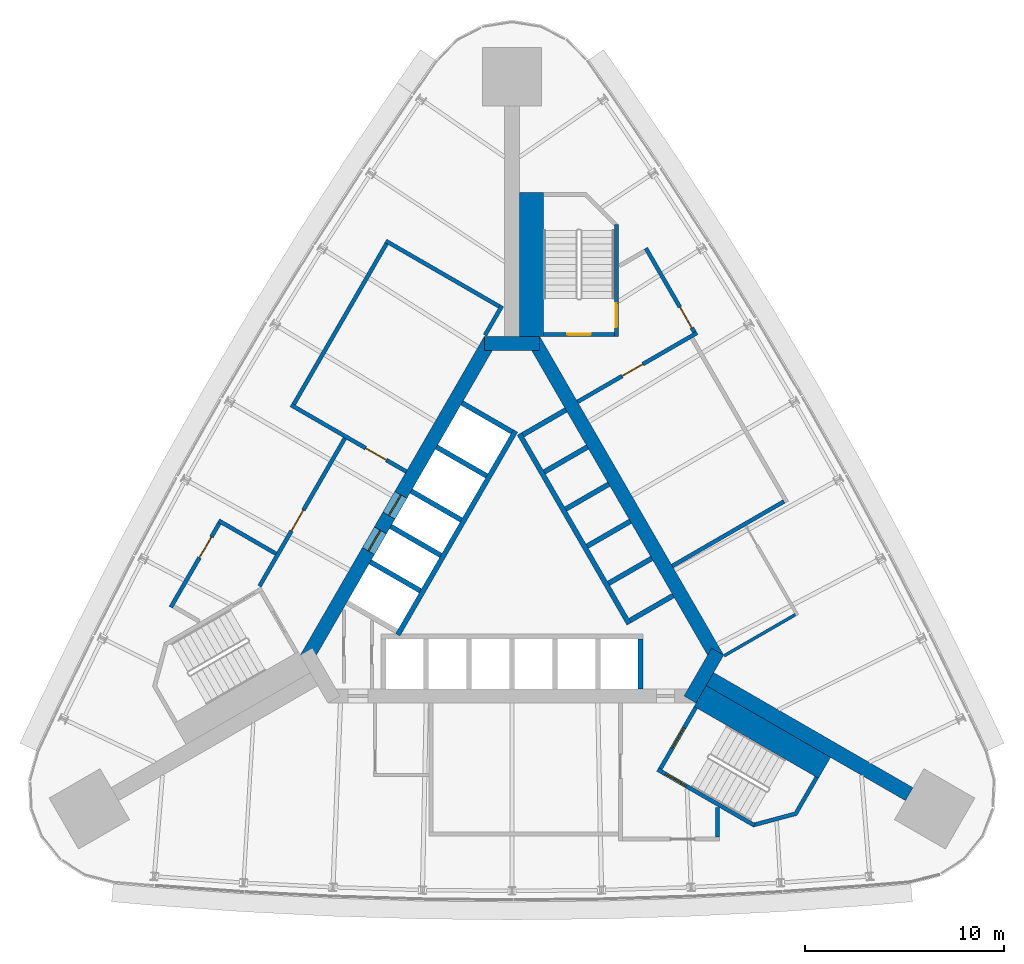
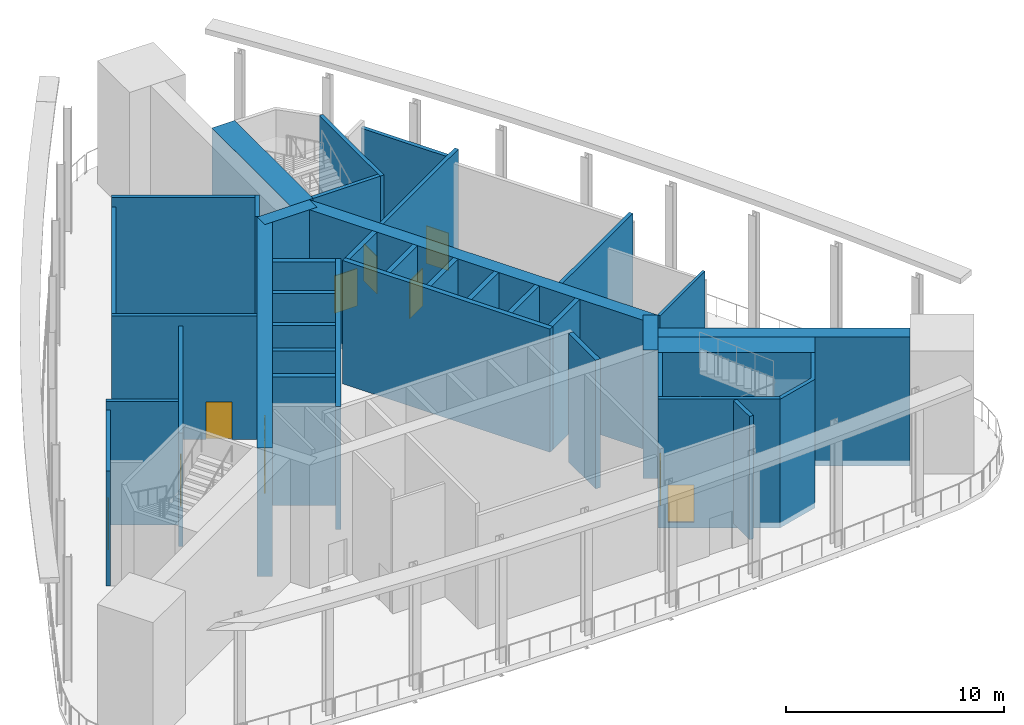
# One storey, part 3 of 7: 38 walls, 11 doors, 11 openings.
"""IFC4 building model written with IfcOpenShell, lengths in metres."""

from ifc_helpers import new_model, si_unit, direction, frame, frame_2d, origin, place, context, subcontext, project, spatial, polyline, rectangle, outline, extrude, material, layer, layer_set, type_object, element, fill, save


model = new_model("IFC4")

# Units and contexts
model_context = context("Model", 3, precision=1e-05, world=origin(), true_north=direction((0.0, 1.0)))
body_context = subcontext(model_context, "Body", "Model", "MODEL_VIEW")
ifc_project = project(units=[si_unit("LENGTHUNIT", "METRE"), si_unit("AREAUNIT", "SQUARE_METRE"), si_unit("VOLUMEUNIT", "CUBIC_METRE"), si_unit("PLANEANGLEUNIT", "RADIAN"), si_unit("MASSUNIT", "GRAM", prefix="KILO")], contexts=[model_context])

# Site, building, storey
site_placement = place(None, origin())
site = spatial("IfcSite", under=ifc_project, at=site_placement, CompositionType="ELEMENT")
building_placement = place(site_placement, origin())
building = spatial("IfcBuilding", under=site, at=building_placement, Name="Noor Cloister Tower", CompositionType="ELEMENT")
storey_placement = place(building_placement, frame((0.0, 0.0, 127.5)))
storey = spatial("IfcBuildingStorey", under=building, at=storey_placement, Name="L33", CompositionType="ELEMENT", Elevation=127.5)

# Walls
ifc_material_1 = material(Name="Concrete C80/95", Category="concrete")
ifc_layer_1 = layer(ifc_material_1, 0.75)
ifc_layer_set_1 = layer_set([ifc_layer_1], Name="Buttress wall 750 C80/95")
wall_type_1 = type_object("IfcWallType", Name="Buttress wall 750 C80/95", PredefinedType="SHEAR", material=ifc_layer_set_1)
wall_1_placement = place(storey_placement, frame((9.921630859375, -5.728271484375, -0.300048828125), z_axis=(0.0, 0.0, 1.0), x_axis=(0.866024913782, -0.500000848707, 0.0)))
element("IfcWall", 1, at=wall_1_placement, inside=storey, type_object=wall_type_1, Name="Buttress wall SE L33", PredefinedType="SHEAR", context=body_context, shape_type="SweptSolid", body=[
    extrude(rectangle(XDim=11.53857421875, YDim=0.75, at=frame_2d((5.769287109375, 0.0))), origin(), (0.0, 0.0, 1.0), 7.199951171875),
])
ifc_material_2 = material(Name="Concrete C80/95", Category="concrete")
ifc_layer_2 = layer(ifc_material_2, 0.699951171875)
ifc_layer_set_2 = layer_set([ifc_layer_2], Name="Core wall 700 C80/95")
wall_type_2 = type_object("IfcWallType", Name="Core wall 700 C80/95", PredefinedType="SHEAR", material=ifc_layer_set_2)
wall_2_placement = place(storey_placement, frame((8.925537109375, -6.753173828125, -0.300048828125), z_axis=(0.0, 0.0, 1.0), x_axis=(0.500042739161, 0.866000726912, 0.0)))
element("IfcWall", 2, at=wall_2_placement, inside=storey, type_object=wall_type_2, Name="Core wall L33 2", PredefinedType="SHEAR", context=body_context, shape_type="SweptSolid", body=[
    extrude(rectangle(XDim=2.771240234375, YDim=0.699951171875, at=frame_2d((1.3857421875, 0.0))), origin(), (0.0, 0.0, 1.0), 7.199951171875),
])
wall_3_placement = place(storey_placement, frame((10.311279296875, -4.703125, -0.300048828125), z_axis=(0.0, 0.0, 1.0), x_axis=(-0.500001446645, 0.866024568562, 0.0)))
element("IfcWall", 3, at=wall_3_placement, inside=storey, type_object=wall_type_2, Name="Core wall L33 3", PredefinedType="SHEAR", context=body_context, shape_type="SweptSolid", body=[
    extrude(rectangle(XDim=18.45751953125, YDim=0.699951171875, at=frame_2d((9.228759765625, 0.0))), origin(), (0.0, 0.0, 1.0), 7.199951171875),
])
wall_4_placement = place(storey_placement, frame((1.3857421875, 11.1064453125, -0.300048828125), z_axis=(0.0, 0.0, 1.0), x_axis=(-1.0, 0.0, 0.0)))
element("IfcWall", 4, at=wall_4_placement, inside=storey, type_object=wall_type_2, Name="Core wall L33 4", PredefinedType="SHEAR", context=body_context, shape_type="SweptSolid", body=[
    extrude(rectangle(XDim=2.771484375, YDim=0.699951171875, at=frame_2d((1.3857421875, 0.0))), origin(), (0.0, 0.0, 1.0), 7.199951171875),
])

# Wall, openings, doors
wall_5_placement = place(storey_placement, frame((-1.08251953125, 11.281494140625, -0.300048828125), z_axis=(0.0, 0.0, 1.0), x_axis=(-0.500001446645, -0.866024568562, 0.0)))
wall_5 = element("IfcWall", 5, at=wall_5_placement, inside=storey, type_object=wall_type_2, Name="Core wall L33 5", PredefinedType="SHEAR", context=body_context, shape_type="SweptSolid", body=[
    extrude(rectangle(XDim=18.45751953125, YDim=0.699951171875, at=frame_2d((9.228759765625, 0.0))), origin(), (0.0, 0.0, 1.0), 7.199951171875),
])
opening_1_placement = place(wall_5_placement, frame((8.978759765625, 0.0, 0.300048828125)))
opening_1 = element("IfcOpeningElement", 6, at=opening_1_placement, cuts=wall_5, Name="Opening L33-FF1", PredefinedType="OPENING", context=body_context, shape_type="SweptSolid", body=[
    extrude(rectangle(XDim=1.199951171875, YDim=2.10009765625, at=frame_2d((0.60009765625, 1.050048828125))), frame((0.0, 0.35986328125, 0.0), z_axis=(0.0, -1.0, 0.0), x_axis=(1.0, 0.0, 0.0)), (0.0, 0.0, 1.0), 0.719970703125),
])
opening_2_placement = place(wall_5_placement, frame((11.02880859375, 0.0, 0.300048828125)))
opening_2 = element("IfcOpeningElement", 7, at=opening_2_placement, cuts=wall_5, Name="Opening L33-FF2", PredefinedType="OPENING", context=body_context, shape_type="SweptSolid", body=[
    extrude(rectangle(XDim=1.199951171875, YDim=2.10009765625, at=frame_2d((0.60009765625, 1.050048828125))), frame((0.0, 0.35986328125, 0.0), z_axis=(0.0, -1.0, 0.0), x_axis=(1.0, 0.0, 0.0)), (0.0, 0.0, 1.0), 0.719970703125),
])
ifc_material_3 = material(Name="Stainless steel", Category="steel")
door_type_1 = type_object("IfcDoorType", Name="Lift landing door 1200 x 2100", OperationType="DOUBLE_DOOR_SLIDING", PredefinedType="DOOR", material=ifc_material_3)
door_1_placement = place(opening_1_placement, origin())
door_1 = element("IfcDoor", 8, at=door_1_placement, inside=storey, type_object=door_type_1, Name="Landing door FF1 L33", OperationType="DOUBLE_DOOR_SLIDING", OverallHeight=2.10009765625, OverallWidth=1.199951171875, PredefinedType="DOOR", context=body_context, shape_type="SweptSolid", body=[
    extrude(rectangle(XDim=1.199951171875, YDim=2.10009765625, at=frame_2d((0.60009765625, 1.050048828125))), frame((0.0, 0.02490234375, 0.0), z_axis=(0.0, -1.0, 0.0), x_axis=(1.0, 0.0, 0.0)), (0.0, 0.0, 1.0), 0.050048828125),
])
fill(opening_1, door_1)
door_2_placement = place(opening_2_placement, origin())
door_2 = element("IfcDoor", 9, at=door_2_placement, inside=storey, type_object=door_type_1, Name="Landing door FF2 L33", OperationType="DOUBLE_DOOR_SLIDING", OverallHeight=2.10009765625, OverallWidth=1.199951171875, PredefinedType="DOOR", context=body_context, shape_type="SweptSolid", body=[
    extrude(rectangle(XDim=1.199951171875, YDim=2.10009765625, at=frame_2d((0.60009765625, 1.050048828125))), frame((0.0, 0.02490234375, 0.0), z_axis=(0.0, -1.0, 0.0), x_axis=(1.0, 0.0, 0.0)), (0.0, 0.0, 1.0), 0.050048828125),
])
fill(opening_2, door_2)

# Walls
ifc_material_4 = material(Name="Concrete C80/95", Category="concrete")
ifc_layer_3 = layer(ifc_material_4, 0.25)
ifc_layer_set_3 = layer_set([ifc_layer_3], Name="Shaft wall 250 C80/95")
wall_type_3 = type_object("IfcWallType", Name="Shaft wall 250 C80/95", PredefinedType="PARTITIONING", material=ifc_layer_set_3)
wall_6_placement = place(storey_placement, frame((6.449951171875, -6.228271484375, -0.300048828125), z_axis=(0.0, 0.0, 1.0), x_axis=(0.0, 1.0, 0.0)))
element("IfcWall", 10, at=wall_6_placement, inside=storey, type_object=wall_type_3, Name="Lift shaft wall L33 S 7", PredefinedType="PARTITIONING", context=body_context, shape_type="SweptSolid", body=[
    extrude(rectangle(XDim=2.5, YDim=0.25, at=frame_2d((1.25, 0.0))), origin(), (0.0, 0.0, 1.0), 7.199951171875),
])
for number, where, z_axis, x_axis, name in (
    (11, (8.081298828125, -1.540771484375, 0.0), (0.0, 0.0, 1.0), (-0.866022959057, -0.500004234368, 0.0), "Lift shaft wall L33 NE 1"),
    (12, (7.00634765625, 0.3212890625, 0.0), (0.0, 0.0, 1.0), (-0.866022959057, -0.500004234368, 0.0), "Lift shaft wall L33 NE 2"),
):
    element("IfcWall", number, at=place(storey_placement, frame(where, z_axis=z_axis, x_axis=x_axis)), inside=storey, type_object=wall_type_3, Name=name, PredefinedType="PARTITIONING", context=body_context, shape_type="SweptSolid", body=[
        extrude(rectangle(XDim=2.5, YDim=0.25, at=frame_2d((1.25, 0.0))), origin(), (0.0, 0.0, 1.0), 6.89990234375),
    ])
wall_7_placement = place(storey_placement, frame((5.931396484375, 2.18310546875, 0.0), z_axis=(0.0, 0.0, 1.0), x_axis=(-0.866047370643, -0.499961950354, 0.0)))
element("IfcWall", 13, at=wall_7_placement, inside=storey, type_object=wall_type_3, Name="Lift shaft wall L33 NE 3", PredefinedType="PARTITIONING", context=body_context, shape_type="SweptSolid", body=[
    extrude(rectangle(XDim=2.500244140625, YDim=0.25, at=frame_2d((1.25, 0.0))), origin(), (0.0, 0.0, 1.0), 6.89990234375),
])
for number, where, z_axis, x_axis, name in (
    (14, (4.856201171875, 4.045166015625, 0.0), (0.0, 0.0, 1.0), (-0.866022959057, -0.500004234368, 0.0), "Lift shaft wall L33 NE 4"),
    (15, (3.78125, 5.906982421875, 0.0), (0.0, 0.0, 1.0), (-0.866022959057, -0.500004234368, 0.0), "Lift shaft wall L33 NE 5"),
    (16, (2.706298828125, 7.76904296875, 0.0), (0.0, 0.0, 1.0), (-0.866022959057, -0.500004234368, 0.0), "Lift shaft wall L33 NE 6"),
):
    element("IfcWall", number, at=place(storey_placement, frame(where, z_axis=z_axis, x_axis=x_axis)), inside=storey, type_object=wall_type_3, Name=name, PredefinedType="PARTITIONING", context=body_context, shape_type="SweptSolid", body=[
        extrude(rectangle(XDim=2.5, YDim=0.25, at=frame_2d((1.25, 0.0))), origin(), (0.0, 0.0, 1.0), 6.89990234375),
    ])
wall_8_placement = place(storey_placement, frame((5.870361328125, -2.96142578125, 0.0), z_axis=(0.0, 0.0, 1.0), x_axis=(-0.50000615651, 0.866021849293, 0.0)))
element("IfcWall", 17, at=wall_8_placement, inside=storey, type_object=wall_type_3, Name="Lift shaft back wall L33 NE", PredefinedType="PARTITIONING", context=body_context, shape_type="SweptSolid", body=[
    extrude(rectangle(XDim=10.999755859375, YDim=0.25, at=frame_2d((5.5, 0.0))), origin(), (0.0, 0.0, 1.0), 6.89990234375),
])
wall_9_placement = place(storey_placement, frame((-2.50634765625, 8.115478515625, -0.300048828125), z_axis=(0.0, 0.0, 1.0), x_axis=(0.865996321171, -0.50005036918, 0.0)))
element("IfcWall", 18, at=wall_9_placement, inside=storey, type_object=wall_type_3, Name="Lift shaft wall L33 NW 1", PredefinedType="PARTITIONING", context=body_context, shape_type="SweptSolid", body=[
    extrude(rectangle(XDim=2.900146484375, YDim=0.25, at=frame_2d((1.4501953125, 0.0))), origin(), (0.0, 0.0, 1.0), 7.199951171875),
])
for number, where, z_axis, x_axis, name in (
    (19, (-3.78125, 5.906982421875, -0.300048828125), (0.0, 0.0, 1.0), (0.866032775405, -0.499987231761, 0.0), "Lift shaft wall L33 NW 2"),
    (20, (-5.056396484375, 3.69873046875, -0.300048828125), (0.0, 0.0, 1.0), (0.866032775405, -0.499987231761, 0.0), "Lift shaft wall L33 NW 3"),
    (21, (-6.081298828125, 1.92333984375, -0.300048828125), (0.0, 0.0, 1.0), (0.866032775405, -0.499987231761, 0.0), "Lift shaft wall L33 NW 4"),
    (22, (-7.106201171875, 0.14794921875, -0.300048828125), (0.0, 0.0, 1.0), (0.866032775405, -0.499987231761, 0.0), "Lift shaft wall L33 NW 5"),
):
    element("IfcWall", number, at=place(storey_placement, frame(where, z_axis=z_axis, x_axis=x_axis)), inside=storey, type_object=wall_type_3, Name=name, PredefinedType="PARTITIONING", context=body_context, shape_type="SweptSolid", body=[
        extrude(rectangle(XDim=2.89990234375, YDim=0.25, at=frame_2d((1.449951171875, 0.0))), origin(), (0.0, 0.0, 1.0), 7.199951171875),
    ])
wall_10_placement = place(storey_placement, frame((0.176025390625, 6.711181640625, 0.0), z_axis=(0.0, 0.0, 1.0), x_axis=(-0.500004227369, -0.866022963098, 0.0)))
element("IfcWall", 23, at=wall_10_placement, inside=storey, type_object=wall_type_3, Name="Lift shaft back wall L33 NW", PredefinedType="PARTITIONING", context=body_context, shape_type="SweptSolid", body=[
    extrude(rectangle(XDim=11.80029296875, YDim=0.25, at=frame_2d((5.900146484375, 0.0))), origin(), (0.0, 0.0, 1.0), 6.89990234375),
])
ifc_material_5 = material(Name="Concrete C80/95", Category="concrete")
ifc_layer_4 = layer(ifc_material_5, 1.2109375)
ifc_layer_set_4 = layer_set([ifc_layer_4], Name="Stair enclosure wall 1211 C80/95")
wall_type_4 = type_object("IfcWallType", Name="Stair enclosure wall 1211 C80/95", PredefinedType="SHEAR", material=ifc_layer_set_4)
wall_11_placement = place(storey_placement, frame((0.980224609375, 11.456298828125, -0.300048828125), z_axis=(0.0, 0.0, 1.0), x_axis=(0.0, 1.0, 0.0)))
element("IfcWall", 24, at=wall_11_placement, inside=storey, type_object=wall_type_4, Name="Stair enclosure wall ST1 L33 riser side", PredefinedType="SHEAR", context=body_context, shape_type="SweptSolid", body=[
    extrude(rectangle(XDim=7.2001953125, YDim=1.210693359375, at=frame_2d((3.60009765625, 0.0))), origin(), (0.0, 0.0, 1.0), 7.199951171875),
])
wall_12_placement = place(storey_placement, frame((9.431396484375, -6.5771484375, -0.300048828125), z_axis=(0.0, 0.0, 1.0), x_axis=(0.866018442252, -0.500012057535, 0.0)))
element("IfcWall", 25, at=wall_12_placement, inside=storey, type_object=wall_type_4, Name="Stair enclosure wall ST3 L33 riser side", PredefinedType="SHEAR", context=body_context, shape_type="SweptSolid", body=[
    extrude(rectangle(XDim=7.199951171875, YDim=1.210693359375, at=frame_2d((3.60009765625, 0.0))), origin(), (0.0, 0.0, 1.0), 7.199951171875),
])

# Wall, opening, door
ifc_material_6 = material(Name="Concrete C80/95", Category="concrete")
ifc_layer_5 = layer(ifc_material_6, 0.199951171875)
ifc_layer_set_5 = layer_set([ifc_layer_5], Name="Stair enclosure wall 200 C80/95")
wall_type_5 = type_object("IfcWallType", Name="Stair enclosure wall 200 C80/95", PredefinedType="SHEAR", material=ifc_layer_set_5)
wall_13_placement = place(storey_placement, frame((5.135498046875, 11.556396484375, -0.300048828125), z_axis=(0.0, 0.0, 1.0), x_axis=(-1.0, 0.0, 0.0)))
wall_13 = element("IfcWall", 26, at=wall_13_placement, inside=storey, type_object=wall_type_5, Name="Stair enclosure wall ST1 L33 near end", PredefinedType="SHEAR", context=body_context, shape_type="SweptSolid", body=[
    extrude(rectangle(XDim=3.5498046875, YDim=0.199951171875, at=frame_2d((1.77490234375, 0.0))), origin(), (0.0, 0.0, 1.0), 7.199951171875),
])
opening_3_placement = place(wall_13_placement, frame((1.175048828125, 0.0, 0.300048828125)))
opening_3 = element("IfcOpeningElement", 27, at=opening_3_placement, cuts=wall_13, Name="Opening L33-ST1L", PredefinedType="OPENING", context=body_context, shape_type="SweptSolid", body=[
    extrude(rectangle(XDim=1.199951171875, YDim=2.10009765625, at=frame_2d((0.60009765625, 1.050048828125))), frame((0.0, 0.10986328125, 0.0), z_axis=(0.0, -1.0, 0.0), x_axis=(1.0, 0.0, 0.0)), (0.0, 0.0, 1.0), 0.219970703125),
])
ifc_material_7 = material(Name="Steel", Category="steel")
door_type_2 = type_object("IfcDoorType", Name="Stair door 1200 x 2100 FD120", OperationType="SINGLE_SWING_LEFT", PredefinedType="DOOR", material=ifc_material_7)
door_3_placement = place(opening_3_placement, origin())
door_3 = element("IfcDoor", 28, at=door_3_placement, inside=storey, type_object=door_type_2, Name="Stair door ST1 L33", OperationType="SINGLE_SWING_RIGHT", OverallHeight=2.10009765625, OverallWidth=1.199951171875, PredefinedType="DOOR", context=body_context, shape_type="SweptSolid", body=[
    extrude(rectangle(XDim=1.199951171875, YDim=2.10009765625, at=frame_2d((0.60009765625, 1.050048828125))), frame((0.0, 0.02490234375, 0.0), z_axis=(0.0, -1.0, 0.0), x_axis=(1.0, 0.0, 0.0)), (0.0, 0.0, 1.0), 0.050048828125),
])
fill(opening_3, door_3)

wall_14_placement = place(storey_placement, frame((5.235595703125, 11.456298828125, -0.300048828125), z_axis=(0.0, 0.0, 1.0), x_axis=(0.0, 1.0, 0.0)))
wall_14 = element("IfcWall", 29, at=wall_14_placement, inside=storey, type_object=wall_type_5, Name="Stair enclosure wall ST1 L33 outer side", PredefinedType="SHEAR", context=body_context, shape_type="SweptSolid", body=[
    extrude(rectangle(XDim=5.60009765625, YDim=0.199951171875, at=frame_2d((2.800048828125, 0.0))), origin(), (0.0, 0.0, 1.0), 7.199951171875),
])
opening_4_placement = place(wall_14_placement, frame((0.449951171875, 0.0, 0.300048828125)))
opening_4 = element("IfcOpeningElement", 30, at=opening_4_placement, cuts=wall_14, Name="Opening L33-ST1C", PredefinedType="OPENING", context=body_context, shape_type="SweptSolid", body=[
    extrude(rectangle(XDim=1.199951171875, YDim=2.10009765625, at=frame_2d((0.60009765625, 1.050048828125))), frame((0.0, 0.10986328125, 0.0), z_axis=(0.0, -1.0, 0.0), x_axis=(1.0, 0.0, 0.0)), (0.0, 0.0, 1.0), 0.219970703125),
])
door_4_placement = place(opening_4_placement, origin())
door_4 = element("IfcDoor", 31, at=door_4_placement, inside=storey, type_object=door_type_2, Name="Stair door ST1 L33", OperationType="SINGLE_SWING_LEFT", OverallHeight=2.10009765625, OverallWidth=1.199951171875, PredefinedType="DOOR", context=body_context, shape_type="SweptSolid", body=[
    extrude(rectangle(XDim=1.199951171875, YDim=2.10009765625, at=frame_2d((0.60009765625, 1.050048828125))), frame((0.0, 0.02490234375, 0.0), z_axis=(0.0, -1.0, 0.0), x_axis=(1.0, 0.0, 0.0)), (0.0, 0.0, 1.0), 0.050048828125),
])
fill(opening_4, door_4)

wall_15_placement = place(storey_placement, frame((7.440185546875, -10.225830078125, -0.300048828125), z_axis=(0.0, 0.0, 1.0), x_axis=(0.500022077904, 0.866012656725, 0.0)))
wall_15 = element("IfcWall", 32, at=wall_15_placement, inside=storey, type_object=wall_type_5, Name="Stair enclosure wall ST3 L33 near end", PredefinedType="SHEAR", context=body_context, shape_type="SweptSolid", body=[
    extrude(rectangle(XDim=3.550048828125, YDim=0.199951171875, at=frame_2d((1.77490234375, 0.0))), origin(), (0.0, 0.0, 1.0), 7.199951171875),
])
opening_5_placement = place(wall_15_placement, frame((1.175048828125, 0.0, 0.300048828125)))
opening_5 = element("IfcOpeningElement", 33, at=opening_5_placement, cuts=wall_15, Name="Opening L33-ST3L", PredefinedType="OPENING", context=body_context, shape_type="SweptSolid", body=[
    extrude(rectangle(XDim=1.199951171875, YDim=2.10009765625, at=frame_2d((0.60009765625, 1.050048828125))), frame((0.0, 0.10986328125, 0.0), z_axis=(0.0, -1.0, 0.0), x_axis=(1.0, 0.0, 0.0)), (0.0, 0.0, 1.0), 0.219970703125),
])
door_5_placement = place(opening_5_placement, origin())
door_5 = element("IfcDoor", 34, at=door_5_placement, inside=storey, type_object=door_type_2, Name="Stair door ST3 L33", OperationType="SINGLE_SWING_RIGHT", OverallHeight=2.10009765625, OverallWidth=1.199951171875, PredefinedType="DOOR", context=body_context, shape_type="SweptSolid", body=[
    extrude(rectangle(XDim=1.199951171875, YDim=2.10009765625, at=frame_2d((0.60009765625, 1.050048828125))), frame((0.0, 0.02490234375, 0.0), z_axis=(0.0, -1.0, 0.0), x_axis=(1.0, 0.0, 0.0)), (0.0, 0.0, 1.0), 0.050048828125),
])
fill(opening_5, door_5)

wall_16_placement = place(storey_placement, frame((7.3037109375, -10.262451171875, -0.300048828125), z_axis=(0.0, 0.0, 1.0), x_axis=(0.866026594901, -0.49999793692, 0.0)))
wall_16 = element("IfcWall", 35, at=wall_16_placement, inside=storey, type_object=wall_type_5, Name="Stair enclosure wall ST3 L33 outer side", PredefinedType="SHEAR", context=body_context, shape_type="SweptSolid", body=[
    extrude(rectangle(XDim=5.60009765625, YDim=0.199951171875, at=frame_2d((2.800048828125, 0.0))), origin(), (0.0, 0.0, 1.0), 7.199951171875),
])
opening_6_placement = place(wall_16_placement, frame((0.449951171875, 0.0, 0.300048828125)))
opening_6 = element("IfcOpeningElement", 36, at=opening_6_placement, cuts=wall_16, Name="Opening L33-ST3C", PredefinedType="OPENING", context=body_context, shape_type="SweptSolid", body=[
    extrude(rectangle(XDim=1.199951171875, YDim=2.10009765625, at=frame_2d((0.60009765625, 1.050048828125))), frame((0.0, 0.10986328125, 0.0), z_axis=(0.0, -1.0, 0.0), x_axis=(1.0, 0.0, 0.0)), (0.0, 0.0, 1.0), 0.219970703125),
])
door_6_placement = place(opening_6_placement, origin())
door_6 = element("IfcDoor", 37, at=door_6_placement, inside=storey, type_object=door_type_2, Name="Stair door ST3 L33", OperationType="SINGLE_SWING_LEFT", OverallHeight=2.10009765625, OverallWidth=1.199951171875, PredefinedType="DOOR", context=body_context, shape_type="SweptSolid", body=[
    extrude(rectangle(XDim=1.199951171875, YDim=2.10009765625, at=frame_2d((0.60009765625, 1.050048828125))), frame((0.0, 0.02490234375, 0.0), z_axis=(0.0, -1.0, 0.0), x_axis=(1.0, 0.0, 0.0)), (0.0, 0.0, 1.0), 0.050048828125),
])
fill(opening_6, door_6)

# Walls
ifc_material_8 = material(Name="Concrete C80/95", Category="concrete")
wall_type_6 = type_object("IfcWallType", Name="Stair far end wall C80/95", PredefinedType="SHEAR", material=ifc_material_8)
wall_17_placement = place(storey_placement, frame((0.0, 0.0, -0.300048828125)))
element("IfcWall", 38, at=wall_17_placement, inside=storey, type_object=wall_type_6, Name="Stair enclosure wall ST3 L33 far end", PredefinedType="SHEAR", context=body_context, shape_type="SweptSolid", body=[
    extrude(outline(polyline([(12.103515625, -13.14892578125), (14.2890625, -12.5634765625), (15.364013671875, -10.701416015625), (15.19091796875, -10.601318359375), (14.1572265625, -12.3916015625), (12.131591796875, -12.934326171875), (12.20361328125, -12.975830078125), (12.20361328125, -12.975830078125), (12.20361328125, -12.975830078125), (12.20361328125, -12.975830078125), (12.20361328125, -12.975830078125), (12.20361328125, -12.975830078125), (12.20361328125, -12.975830078125), (12.20361328125, -12.975830078125), (12.20361328125, -12.975830078125), (12.20361328125, -12.975830078125), (12.20361328125, -12.975830078125), (12.20361328125, -12.975830078125), (12.20361328125, -12.975830078125), (12.20361328125, -12.975830078125), (12.20361328125, -12.975830078125), (12.20361328125, -12.975830078125), (12.20361328125, -12.975830078125), (12.103515625, -13.14892578125)])), origin(), (0.0, 0.0, 1.0), 7.199951171875),
])
ifc_material_9 = material(Name="Fire-rated gypsum board partition on steel studs, 150 mm", Category="steel")
ifc_layer_6 = layer(ifc_material_9, 0.14990234375)
ifc_layer_set_6 = layer_set([ifc_layer_6], Name="Upper floor corridor wall 150")
wall_type_7 = type_object("IfcWallType", Name="Upper floor corridor wall 150", PredefinedType="PARTITIONING", material=ifc_layer_set_6)
wall_18_placement = place(storey_placement, frame((10.63330078125, -4.560791015625, 0.0), z_axis=(0.0, 0.0, 1.0), x_axis=(0.866019999656, 0.500009360108, 0.0)))
element("IfcWall", 39, at=wall_18_placement, inside=storey, type_object=wall_type_7, Name="Upper floor corridor wall 150 L33 022", PredefinedType="PARTITIONING", context=body_context, shape_type="SweptSolid", body=[
    extrude(rectangle(XDim=4.125, YDim=0.14990234375, at=frame_2d((2.0625, 0.0))), origin(), (0.0, 0.0, 1.0), 6.89990234375),
])
ifc_material_10 = material(Name="Concrete block wall, 200 mm", Category="concrete")
ifc_layer_7 = layer(ifc_material_10, 0.199951171875)
ifc_layer_set_7 = layer_set([ifc_layer_7], Name="Upper floor plant room wall 200")
wall_type_8 = type_object("IfcWallType", Name="Upper floor plant room wall 200", PredefinedType="PARTITIONING", material=ifc_layer_set_7)
wall_19_placement = place(storey_placement, frame((-14.711181640625, 2.21923828125, 0.0), z_axis=(0.0, 0.0, 1.0), x_axis=(0.866022801149, -0.500004507869, 0.0)))
element("IfcWall", 40, at=wall_19_placement, inside=storey, type_object=wall_type_8, Name="Upper floor plant room wall 200 L33 001", PredefinedType="PARTITIONING", context=body_context, shape_type="SweptSolid", body=[
    extrude(rectangle(XDim=3.32177734375, YDim=0.199951171875, at=frame_2d((1.660888671875, 0.0))), origin(), (0.0, 0.0, 1.0), 6.89990234375),
])

# Wall, opening, door
wall_20_placement = place(storey_placement, frame((-12.657958984375, -1.06787109375, 0.0), z_axis=(0.0, 0.0, 1.0), x_axis=(0.500000816281, 0.866024932504, 0.0)))
wall_20 = element("IfcWall", 41, at=wall_20_placement, inside=storey, type_object=wall_type_8, Name="Upper floor plant room wall 200 L33 002", PredefinedType="PARTITIONING", context=body_context, shape_type="SweptSolid", body=[
    extrude(rectangle(XDim=8.5537109375, YDim=0.199951171875, at=frame_2d((4.27685546875, 0.0))), origin(), (0.0, 0.0, 1.0), 6.346923828125),
])
opening_7_placement = place(wall_20_placement, frame((3.197509765625, 0.0, 0.0)))
opening_7 = element("IfcOpeningElement", 42, at=opening_7_placement, cuts=wall_20, Name="Opening L33-003", PredefinedType="OPENING", context=body_context, shape_type="SweptSolid", body=[
    extrude(rectangle(XDim=1.199951171875, YDim=2.10009765625, at=frame_2d((0.60009765625, 1.050048828125))), frame((0.0, 0.10986328125, 0.0), z_axis=(0.0, -1.0, 0.0), x_axis=(1.0, 0.0, 0.0)), (0.0, 0.0, 1.0), 0.219970703125),
])
ifc_material_11 = material(Name="Timber door leaf with steel frame", Category="steel")
door_type_3 = type_object("IfcDoorType", Name="Firefighting lobby door 1200", OperationType="NOTDEFINED", PredefinedType="DOOR", material=ifc_material_11)
door_7_placement = place(opening_7_placement, origin())
door_7 = element("IfcDoor", 43, at=door_7_placement, inside=storey, type_object=door_type_3, Name="Firefighting lobby door 1200 L33-003", OperationType="SINGLE_SWING_LEFT", OverallHeight=2.10009765625, OverallWidth=1.199951171875, PredefinedType="DOOR", context=body_context, shape_type="SweptSolid", body=[
    extrude(rectangle(XDim=1.199951171875, YDim=2.10009765625, at=frame_2d((0.60009765625, 1.050048828125))), frame((0.0, 0.02490234375, 0.0), z_axis=(0.0, -1.0, 0.0), x_axis=(1.0, 0.0, 0.0)), (0.0, 0.0, 1.0), 0.050048828125),
])
fill(opening_7, door_7)

wall_21_placement = place(storey_placement, frame((-11.0771484375, 8.011962890625, 0.0), z_axis=(0.0, 0.0, 1.0), x_axis=(0.866022858982, -0.500004407701, 0.0)))
wall_21 = element("IfcWall", 44, at=wall_21_placement, inside=storey, type_object=wall_type_8, Name="Upper floor plant room wall 200 L33 003", PredefinedType="PARTITIONING", context=body_context, shape_type="SweptSolid", body=[
    extrude(rectangle(XDim=6.6708984375, YDim=0.199951171875, at=frame_2d((3.33544921875, 0.0))), origin(), (0.0, 0.0, 1.0), 6.89990234375),
])
opening_8_placement = place(wall_21_placement, frame((4.32080078125, 0.0, 0.0)))
opening_8 = element("IfcOpeningElement", 45, at=opening_8_placement, cuts=wall_21, Name="Opening L33-002", PredefinedType="OPENING", context=body_context, shape_type="SweptSolid", body=[
    extrude(rectangle(XDim=1.199951171875, YDim=2.10009765625, at=frame_2d((0.60009765625, 1.050048828125))), frame((0.0, 0.10986328125, 0.0), z_axis=(0.0, -1.0, 0.0), x_axis=(1.0, 0.0, 0.0)), (0.0, 0.0, 1.0), 0.219970703125),
])
ifc_material_12 = material(Name="Timber door leaf with steel frame", Category="steel")
door_type_4 = type_object("IfcDoorType", Name="Protected lobby door 1200", OperationType="NOTDEFINED", PredefinedType="DOOR", material=ifc_material_12)
door_8_placement = place(opening_8_placement, origin())
door_8 = element("IfcDoor", 46, at=door_8_placement, inside=storey, type_object=door_type_4, Name="Protected lobby door 1200 L33-002", OperationType="SINGLE_SWING_RIGHT", OverallHeight=2.10009765625, OverallWidth=1.199951171875, PredefinedType="DOOR", context=body_context, shape_type="SweptSolid", body=[
    extrude(rectangle(XDim=1.199951171875, YDim=2.10009765625, at=frame_2d((0.60009765625, 1.050048828125))), frame((0.0, 0.02490234375, 0.0), z_axis=(0.0, -1.0, 0.0), x_axis=(1.0, 0.0, 0.0)), (0.0, 0.0, 1.0), 0.050048828125),
])
fill(opening_8, door_8)

wall_22_placement = place(storey_placement, frame((-14.674560546875, 2.082763671875, 0.0), z_axis=(0.0, 0.0, 1.0), x_axis=(-0.499992114976, -0.866029956157, 0.0)))
wall_22 = element("IfcWall", 47, at=wall_22_placement, inside=storey, type_object=wall_type_8, Name="Upper floor plant room wall 200 L33 004", PredefinedType="PARTITIONING", context=body_context, shape_type="SweptSolid", body=[
    extrude(rectangle(XDim=4.85888671875, YDim=0.199951171875, at=frame_2d((2.429443359375, 0.0))), origin(), (0.0, 0.0, 1.0), 6.423095703125),
])
opening_9_placement = place(wall_22_placement, frame((0.790283203125, 0.0, 0.0)))
opening_9 = element("IfcOpeningElement", 48, at=opening_9_placement, cuts=wall_22, Name="Opening L33-001", PredefinedType="OPENING", context=body_context, shape_type="SweptSolid", body=[
    extrude(rectangle(XDim=1.199951171875, YDim=2.10009765625, at=frame_2d((0.60009765625, 1.050048828125))), frame((0.0, 0.10986328125, 0.0), z_axis=(0.0, -1.0, 0.0), x_axis=(1.0, 0.0, 0.0)), (0.0, 0.0, 1.0), 0.219970703125),
])
door_9_placement = place(opening_9_placement, origin())
door_9 = element("IfcDoor", 49, at=door_9_placement, inside=storey, type_object=door_type_4, Name="Protected lobby door 1200 L33-001", OperationType="SINGLE_SWING_LEFT", OverallHeight=2.10009765625, OverallWidth=1.199951171875, PredefinedType="DOOR", context=body_context, shape_type="SweptSolid", body=[
    extrude(rectangle(XDim=1.199951171875, YDim=2.10009765625, at=frame_2d((0.60009765625, 1.050048828125))), frame((0.0, 0.02490234375, 0.0), z_axis=(0.0, -1.0, 0.0), x_axis=(1.0, 0.0, 0.0)), (0.0, 0.0, 1.0), 0.050048828125),
])
fill(opening_9, door_9)

# Walls
wall_23_placement = place(storey_placement, frame((-1.356689453125, 11.50634765625, 0.0), z_axis=(0.0, 0.0, 1.0), x_axis=(0.499923888995, 0.866069342035, 0.0)))
element("IfcWall", 50, at=wall_23_placement, inside=storey, type_object=wall_type_8, Name="Upper floor plant room wall 200 L33 006", PredefinedType="PARTITIONING", context=body_context, shape_type="SweptSolid", body=[
    extrude(rectangle(XDim=1.713623046875, YDim=0.199951171875, at=frame_2d((0.85693359375, 0.0))), origin(), (0.0, 0.0, 1.0), 6.89990234375),
])
wall_24_placement = place(storey_placement, frame((-0.63671875, 12.953857421875, 0.0), z_axis=(0.0, 0.0, 1.0), x_axis=(-0.86602347431, 0.500003341933, 0.0)))
element("IfcWall", 51, at=wall_24_placement, inside=storey, type_object=wall_type_8, Name="Upper floor plant room wall 200 L33 007", PredefinedType="PARTITIONING", context=body_context, shape_type="SweptSolid", body=[
    extrude(rectangle(XDim=6.57080078125, YDim=0.199951171875, at=frame_2d((3.285400390625, 0.0))), origin(), (0.0, 0.0, 1.0), 6.89990234375),
])
wall_25_placement = place(storey_placement, frame((-6.29052734375, 16.1025390625, 0.0), z_axis=(0.0, 0.0, 1.0), x_axis=(-0.500015592816, -0.866016401081, 0.0)))
element("IfcWall", 52, at=wall_25_placement, inside=storey, type_object=wall_type_8, Name="Upper floor plant room wall 200 L33 008", PredefinedType="PARTITIONING", context=body_context, shape_type="SweptSolid", body=[
    extrude(rectangle(XDim=9.300048828125, YDim=0.199951171875, at=frame_2d((4.64990234375, 0.0))), origin(), (0.0, 0.0, 1.0), 6.346923828125),
])
wall_26_placement = place(storey_placement, frame((10.29248046875, -13.64990234375, 0.0), z_axis=(0.0, 0.0, 1.0), x_axis=(0.0, 1.0, 0.0)))
element("IfcWall", 53, at=wall_26_placement, inside=storey, type_object=wall_type_8, Name="Upper floor plant room wall 200 L33 012", PredefinedType="PARTITIONING", context=body_context, shape_type="SweptSolid", body=[
    extrude(rectangle(XDim=1.48876953125, YDim=0.199951171875, at=frame_2d((0.744384765625, 0.0))), origin(), (0.0, 0.0, 1.0), 6.89990234375),
])

# Wall, opening, door
wall_27_placement = place(storey_placement, frame((3.283203125, 8.169921875, 0.0), z_axis=(0.0, 0.0, 1.0), x_axis=(0.866035807126, 0.499981980451, 0.0)))
wall_27 = element("IfcWall", 54, at=wall_27_placement, inside=storey, type_object=wall_type_8, Name="Upper floor plant room wall 200 L33 015", PredefinedType="PARTITIONING", context=body_context, shape_type="SweptSolid", body=[
    extrude(rectangle(XDim=6.921630859375, YDim=0.199951171875, at=frame_2d((3.4609375, 0.0))), origin(), (0.0, 0.0, 1.0), 6.89990234375),
])
opening_10_placement = place(wall_27_placement, frame((2.583984375, 0.0, 0.0)))
opening_10 = element("IfcOpeningElement", 55, at=opening_10_placement, cuts=wall_27, Name="Opening L33-008", PredefinedType="OPENING", context=body_context, shape_type="SweptSolid", body=[
    extrude(rectangle(XDim=1.199951171875, YDim=2.10009765625, at=frame_2d((0.60009765625, 1.050048828125))), frame((0.0, 0.10986328125, 0.0), z_axis=(0.0, -1.0, 0.0), x_axis=(1.0, 0.0, 0.0)), (0.0, 0.0, 1.0), 0.219970703125),
])
door_10_placement = place(opening_10_placement, origin())
door_10 = element("IfcDoor", 56, at=door_10_placement, inside=storey, type_object=door_type_4, Name="Protected lobby door 1200 L33-008", OperationType="SINGLE_SWING_LEFT", OverallHeight=2.10009765625, OverallWidth=1.199951171875, PredefinedType="DOOR", context=body_context, shape_type="SweptSolid", body=[
    extrude(rectangle(XDim=1.199951171875, YDim=2.10009765625, at=frame_2d((0.60009765625, 1.050048828125))), frame((0.0, 0.02490234375, 0.0), z_axis=(0.0, -1.0, 0.0), x_axis=(1.0, 0.0, 0.0)), (0.0, 0.0, 1.0), 0.050048828125),
])
fill(opening_10, door_10)

wall_28_placement = place(storey_placement, frame((9.140869140625, 11.667236328125, 0.0), z_axis=(0.0, 0.0, 1.0), x_axis=(-0.500013872438, 0.86601739438, 0.0)))
wall_28 = element("IfcWall", 57, at=wall_28_placement, inside=storey, type_object=wall_type_8, Name="Upper floor plant room wall 200 L33 017", PredefinedType="PARTITIONING", context=body_context, shape_type="SweptSolid", body=[
    extrude(rectangle(XDim=4.858642578125, YDim=0.199951171875, at=frame_2d((2.42919921875, 0.0))), origin(), (0.0, 0.0, 1.0), 6.423095703125),
])
opening_11_placement = place(wall_28_placement, frame((0.248779296875, 0.0, 0.0)))
opening_11 = element("IfcOpeningElement", 58, at=opening_11_placement, cuts=wall_28, Name="Opening L33-007", PredefinedType="OPENING", context=body_context, shape_type="SweptSolid", body=[
    extrude(rectangle(XDim=1.199951171875, YDim=2.10009765625, at=frame_2d((0.60009765625, 1.050048828125))), frame((0.0, 0.10986328125, 0.0), z_axis=(0.0, -1.0, 0.0), x_axis=(1.0, 0.0, 0.0)), (0.0, 0.0, 1.0), 0.219970703125),
])
door_11_placement = place(opening_11_placement, origin())
door_11 = element("IfcDoor", 59, at=door_11_placement, inside=storey, type_object=door_type_4, Name="Protected lobby door 1200 L33-007", OperationType="SINGLE_SWING_LEFT", OverallHeight=2.10009765625, OverallWidth=1.199951171875, PredefinedType="DOOR", context=body_context, shape_type="SweptSolid", body=[
    extrude(rectangle(XDim=1.199951171875, YDim=2.10009765625, at=frame_2d((0.60009765625, 1.050048828125))), frame((0.0, 0.02490234375, 0.0), z_axis=(0.0, -1.0, 0.0), x_axis=(1.0, 0.0, 0.0)), (0.0, 0.0, 1.0), 0.050048828125),
])
fill(opening_11, door_11)

# Wall
wall_29_placement = place(storey_placement, frame((8.033203125, -0.0576171875, 0.0), z_axis=(0.0, 0.0, 1.0), x_axis=(0.866017203851, 0.500014202433, 0.0)))
element("IfcWall", 60, at=wall_29_placement, inside=storey, type_object=wall_type_8, Name="Upper floor plant room wall 200 L33 019", PredefinedType="PARTITIONING", context=body_context, shape_type="SweptSolid", body=[
    extrude(rectangle(XDim=6.470947265625, YDim=0.199951171875, at=frame_2d((3.2353515625, 0.0))), origin(), (0.0, 0.0, 1.0), 6.89990234375),
])

save(model, "model.ifc")
